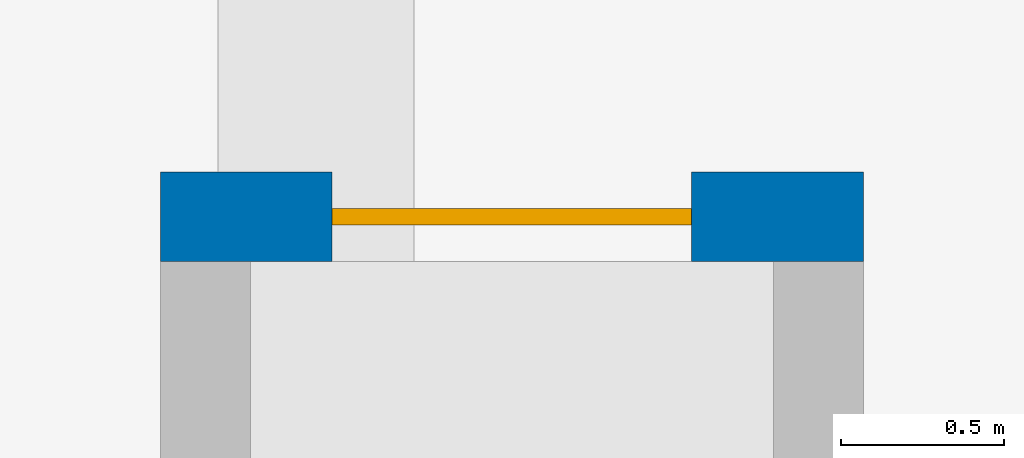
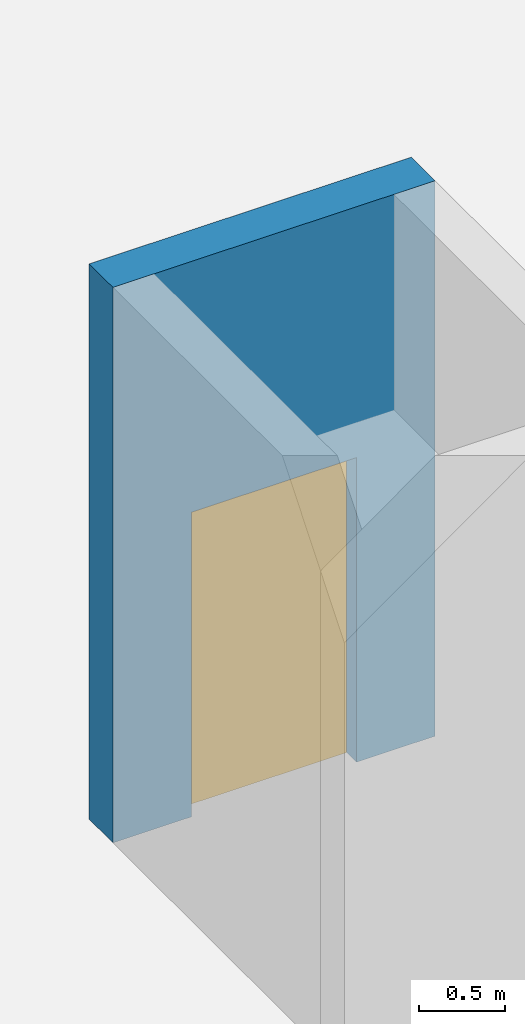
# One storey, part 24 of 36: 1 door, 1 wall, 1 opening.
"""IFC4 building model written with IfcOpenShell, lengths in metres."""

import ifcopenshell
import ifcopenshell.guid

model = None  # the IFC model being written
_history = None  # IfcOwnerHistory: only IFC2X3 demands one
_inside = {}  # id of a spatial element -> (the spatial element, [elements in it])
_under = {}  # id of a project, library or spatial element -> (it, [spatial elements below it])
_declared = {}  # id of a project -> (the project, [libraries it declares])
_typed = {}  # id of a type object -> (the type object, [elements of that type])
_made_of = {}  # id of a material, layer set ... -> (it, [elements and type objects made of it])


def new_model(schema):
    """Start an empty IFC model of exactly this schema.

    Asked for "IFC4X3", IfcOpenShell would pick the latest addendum, in which some entities
    have other attributes; the version numbers below select the first issue.
    IFC2X3 requires an IfcOwnerHistory on every rooted entity: one is made here for all.
    """
    global model, _history
    if schema == "IFC4X3":
        model = ifcopenshell.file(schema_version=(4, 3, 0, 0))
    else:
        model = ifcopenshell.file(schema=schema)
    _inside.clear()
    _under.clear()
    _declared.clear()
    _typed.clear()
    _made_of.clear()
    _history = None
    if model.schema == "IFC2X3":
        org = make("IfcOrganization", Name="unknown")
        user = make(
            "IfcPersonAndOrganization",
            ThePerson=make("IfcPerson", FamilyName="unknown"),
            TheOrganization=org,
        )
        app = make(
            "IfcApplication",
            ApplicationDeveloper=org,
            Version="unknown",
            ApplicationFullName="unknown",
            ApplicationIdentifier="unknown",
        )
        _history = make(
            "IfcOwnerHistory",
            OwningUser=user,
            OwningApplication=app,
            ChangeAction="ADDED",
            CreationDate=0,
        )
    return model


def make(cls, **values):
    """One entity of the class cls with the attributes given. An attribute that is None is left unset."""
    return model.create_entity(
        cls, **{name: value for name, value in values.items() if value is not None}
    )


def rooted(cls, **values):
    """An entity with a GlobalId (a new one), such as an element, a storey or a relation."""
    return make(cls, GlobalId=ifcopenshell.guid.new(), OwnerHistory=_history, **values)


def si_unit(unit_type, name, prefix=None):
    """IfcSIUnit, for example si_unit("LENGTHUNIT", "METRE", prefix="MILLI")."""
    return make("IfcSIUnit", UnitType=unit_type, Prefix=prefix, Name=name)


def derived_unit(unit_type, elements):
    """IfcDerivedUnit: a product of units, each with its exponent."""
    return make(
        "IfcDerivedUnit",
        Elements=[
            make("IfcDerivedUnitElement", Unit=unit, Exponent=power)
            for unit, power in elements
        ],
        UnitType=unit_type,
    )


def assignment(units):
    """IfcUnitAssignment: the units of a project."""
    return None if units is None else make("IfcUnitAssignment", Units=units)


def point(xyz):
    """IfcCartesianPoint."""
    return None if xyz is None else make("IfcCartesianPoint", Coordinates=xyz)


def direction(xyz):
    """IfcDirection."""
    return None if xyz is None else make("IfcDirection", DirectionRatios=xyz)


def frame(location, z_axis=None, x_axis=None):
    """IfcAxis2Placement3D, a coordinate frame: its origin and axes. An axis left out is left unset."""
    return make(
        "IfcAxis2Placement3D",
        Location=point(location),
        Axis=direction(z_axis),
        RefDirection=direction(x_axis),
    )


def frame_2d(location, x_axis=None):
    """IfcAxis2Placement2D, a coordinate frame in the plane: its origin and x axis."""
    return make(
        "IfcAxis2Placement2D", Location=point(location), RefDirection=direction(x_axis)
    )


def origin():
    """The frame at (0, 0, 0) with its axes left unset."""
    return frame((0.0, 0.0, 0.0))


def place(relative_to, where):
    """IfcLocalPlacement: puts the frame where relative to a parent placement (None: the world)."""
    return make(
        "IfcLocalPlacement", PlacementRelTo=relative_to, RelativePlacement=where
    )


def context(
    kind, dimensions, precision=None, world=None, true_north=None, identifier=None
):
    """IfcGeometricRepresentationContext, for example the 3D "Model" context."""
    return make(
        "IfcGeometricRepresentationContext",
        ContextIdentifier=identifier,
        ContextType=kind,
        CoordinateSpaceDimension=dimensions,
        Precision=precision,
        WorldCoordinateSystem=world,
        TrueNorth=true_north,
    )


def subcontext(parent, identifier, kind, view, scale=None):
    """IfcGeometricRepresentationSubContext, for example "Body" below "Model"."""
    return make(
        "IfcGeometricRepresentationSubContext",
        ContextIdentifier=identifier,
        ContextType=kind,
        ParentContext=parent,
        TargetScale=scale,
        TargetView=view,
    )


def project(units=None, contexts=None):
    """IfcProject with its units and contexts."""
    return rooted(
        "IfcProject",
        Name="project",
        RepresentationContexts=contexts,
        UnitsInContext=assignment(units),
    )


def spatial(cls, under=None, at=None, **own):
    """A site, building, storey or space (cls), placed at a placement, below another one or the project."""
    s = rooted(cls, ObjectPlacement=at, **own)
    if under is not None:
        _under.setdefault(under.id(), (under, []))[1].append(s)
    return s


def profile(cls, at=None, kind="AREA", **sizes):
    """A parametric profile (cls). Its sizes go by their IFC names, for example OverallWidth=200.0."""
    return make(cls, ProfileType=kind, Position=at, **sizes)


def rectangle(**sizes):
    """IfcRectangleProfileDef."""
    return profile("IfcRectangleProfileDef", **sizes)


def extrude(swept, where, along, depth):
    """IfcExtrudedAreaSolid: the profile swept, set in the frame where, extruded along a direction by depth."""
    return make(
        "IfcExtrudedAreaSolid",
        SweptArea=swept,
        Position=where,
        ExtrudedDirection=direction(along),
        Depth=depth,
    )


def shape(context_of_items, identifier, shape_type, items):
    """IfcShapeRepresentation: the items that make up one representation, for example the "Body"."""
    return make(
        "IfcShapeRepresentation",
        ContextOfItems=context_of_items,
        RepresentationIdentifier=identifier,
        RepresentationType=shape_type,
        Items=items,
    )


def material(Name=None, Category=None):
    """IfcMaterial."""
    return make("IfcMaterial", Name=Name, Category=Category)


def layer(
    of_material, thickness, ventilated=None, Name=None, Category=None, Priority=None
):
    """IfcMaterialLayer: one layer of a wall or slab, of a material (None: an air gap)."""
    return make(
        "IfcMaterialLayer",
        Material=of_material,
        LayerThickness=thickness,
        IsVentilated=ventilated,
        Name=Name,
        Category=Category,
        Priority=Priority,
    )


def layer_set(layers, Name=None):
    """IfcMaterialLayerSet."""
    return make("IfcMaterialLayerSet", MaterialLayers=layers, LayerSetName=Name)


def made_of(thing, what):
    """Note that an element or type object is made of a material, layer set ...; save() writes the relation."""
    if what is not None:
        _made_of.setdefault(what.id(), (what, []))[1].append(thing)
    return thing


def type_object(cls, material=None, **own):
    """A type object (cls), such as IfcWallType, which elements share."""
    return made_of(rooted(cls, **own), material)


def element(
    cls,
    number,
    at=None,
    inside=None,
    cuts=None,
    type_object=None,
    material=None,
    context=None,
    identifier="Body",
    shape_type=None,
    held_by="IfcProductDefinitionShape",
    body=None,
    shapes=None,
    **own,
):
    """One element of the class cls, such as IfcWall. Its Tag is "e" and its number.

    at: its placement. inside: the storey or other place that contains it. cuts: it is an
    opening in that element (IfcRelVoidsElement). A single representation is given by context,
    identifier, shape_type and body (its items); several are given by shapes. held_by: the class
    of the entity that holds the representations. save() writes the other relations.
    """
    e = rooted(cls, Tag="e%d" % number, ObjectPlacement=at, **own)
    if body is not None:
        shapes = [shape(context, identifier, shape_type, body)]
    if shapes is not None:
        e.Representation = make(held_by, Representations=shapes)
    if inside is not None:
        _inside.setdefault(inside.id(), (inside, []))[1].append(e)
    if cuts is not None:
        rooted(
            "IfcRelVoidsElement", RelatingBuildingElement=cuts, RelatedOpeningElement=e
        )
    if type_object is not None:
        _typed.setdefault(type_object.id(), (type_object, []))[1].append(e)
    return made_of(e, material)


def fill(opening, filler):
    """IfcRelFillsElement: the door or window that sits in an opening."""
    return rooted(
        "IfcRelFillsElement",
        RelatingOpeningElement=opening,
        RelatedBuildingElement=filler,
    )


def aggregate(whole, parts):
    """IfcRelAggregates: a whole, such as a stair, and the parts it consists of."""
    return rooted("IfcRelAggregates", RelatingObject=whole, RelatedObjects=parts)


def save(model, path):
    """Write the relations noted so far, then the file.

    IfcRelAggregates (storeys below a building ...), IfcRelContainedInSpatialStructure (elements
    in a storey), IfcRelDefinesByType, IfcRelAssociatesMaterial and IfcRelDeclares: one each for
    every whole, place, type object, material and project.
    """
    for whole, parts in _under.values():
        aggregate(whole, parts)
    for where, things in _inside.values():
        rooted(
            "IfcRelContainedInSpatialStructure",
            RelatedElements=things,
            RelatingStructure=where,
        )
    for kind, things in _typed.values():
        rooted("IfcRelDefinesByType", RelatedObjects=things, RelatingType=kind)
    for what, things in _made_of.values():
        rooted("IfcRelAssociatesMaterial", RelatedObjects=things, RelatingMaterial=what)
    for by, libraries in _declared.values():
        rooted("IfcRelDeclares", RelatingContext=by, RelatedDefinitions=libraries)
    model.write(path)


model = new_model("IFC4")

# Units and contexts
model_context = context("Model", 3, precision=1e-05, world=origin(), true_north=direction((0.0, 1.0)))
body_context = subcontext(model_context, "Body", "Model", "MODEL_VIEW")
ifc_project = project(units=[si_unit("LENGTHUNIT", "METRE"), si_unit("AREAUNIT", "SQUARE_METRE"), si_unit("VOLUMEUNIT", "CUBIC_METRE"), si_unit("PLANEANGLEUNIT", "RADIAN"), si_unit("MASSUNIT", "GRAM", prefix="KILO"), derived_unit("THERMALTRANSMITTANCEUNIT", [(si_unit("MASSUNIT", "GRAM", prefix="KILO"), 1), (si_unit("TIMEUNIT", "SECOND"), -3), (si_unit("THERMODYNAMICTEMPERATUREUNIT", "KELVIN"), -1)])], contexts=[model_context])

# Site, building, storey
site_placement = place(None, origin())
site = spatial("IfcSite", under=ifc_project, at=site_placement, CompositionType="ELEMENT")
building_placement = place(site_placement, origin())
building = spatial("IfcBuilding", under=site, at=building_placement, Name="Ochrekiln Boulevard Commons", CompositionType="ELEMENT")
storey_placement = place(building_placement, frame((0.0, 0.0, -4.199951171875)))
storey = spatial("IfcBuildingStorey", under=building, at=storey_placement, Name="B1", CompositionType="ELEMENT", Elevation=-4.199951171875)

# Wall, opening, door
ifc_material_1 = material(Name="Concrete C40/50", Category="concrete")
ifc_layer = layer(ifc_material_1, 0.27490234375)
ifc_layer_set = layer_set([ifc_layer], Name="Concrete C40/50")
wall_type = type_object("IfcWallType", Name="WL-SH-275", PredefinedType="SHEAR", material=ifc_layer_set)
wall_placement = place(storey_placement, frame((71.52490234375, 104.33740234375, 0.0), z_axis=(0.0, 0.0, 1.0), x_axis=(1.0, 0.0, 0.0)))
wall = element("IfcWall", 1, at=wall_placement, inside=storey, type_object=wall_type, Name="Elevator LP-N1 B1 Hoistway Shear Wall", PredefinedType="SHEAR", context=body_context, shape_type="SweptSolid", body=[
    extrude(rectangle(XDim=2.150146484375, YDim=0.27490234375, at=frame_2d((1.0751953125, 0.0))), origin(), (0.0, 0.0, 1.0), 3.919921875),
])
opening_placement = place(wall_placement, frame((0.52490234375, 0.0, 0.0)))
opening = element("IfcOpeningElement", 2, at=opening_placement, cuts=wall, Name="Opening LD-LP-N1-B1", PredefinedType="OPENING", context=body_context, shape_type="SweptSolid", body=[
    extrude(rectangle(XDim=1.10009765625, YDim=2.14990234375, at=frame_2d((0.550048828125, 1.074951171875))), frame((0.0, 0.1474609375, 0.0), z_axis=(0.0, -1.0, 0.0), x_axis=(1.0, 0.0, 0.0)), (0.0, 0.0, 1.0), 0.294921875),
])
ifc_material_2 = material(Name="Brushed stainless steel 316 elevator cab and doors", Category="steel")
door_type = type_object("IfcDoorType", Name="DR-LIFT-LD90", OperationType="SLIDING_TO_LEFT", PredefinedType="DOOR", material=ifc_material_2)
door_placement = place(opening_placement, origin())
door = element("IfcDoor", 3, at=door_placement, inside=storey, type_object=door_type, Name="Elevator LP-N1 B1 Sliding Landing Door LD-LP-N1-B1", OperationType="SLIDING_TO_LEFT", OverallHeight=2.14990234375, OverallWidth=1.10009765625, PredefinedType="DOOR", context=body_context, shape_type="SweptSolid", body=[
    extrude(rectangle(XDim=1.10009765625, YDim=2.14990234375, at=frame_2d((0.550048828125, 1.074951171875))), frame((0.0, 0.02490234375, 0.0), z_axis=(0.0, -1.0, 0.0), x_axis=(1.0, 0.0, 0.0)), (0.0, 0.0, 1.0), 0.050048828125),
])
fill(opening, door)

save(model, "model.ifc")
